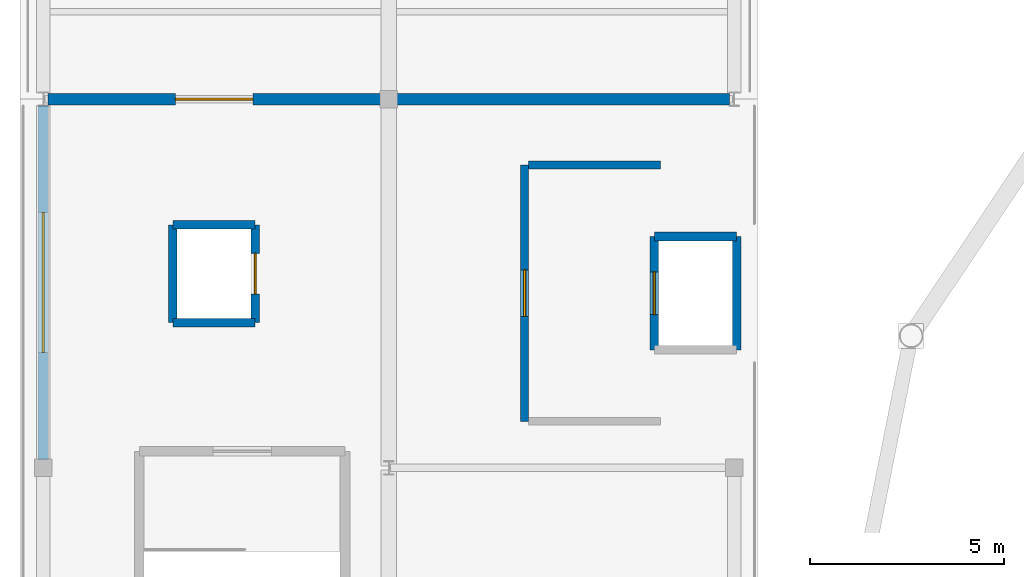
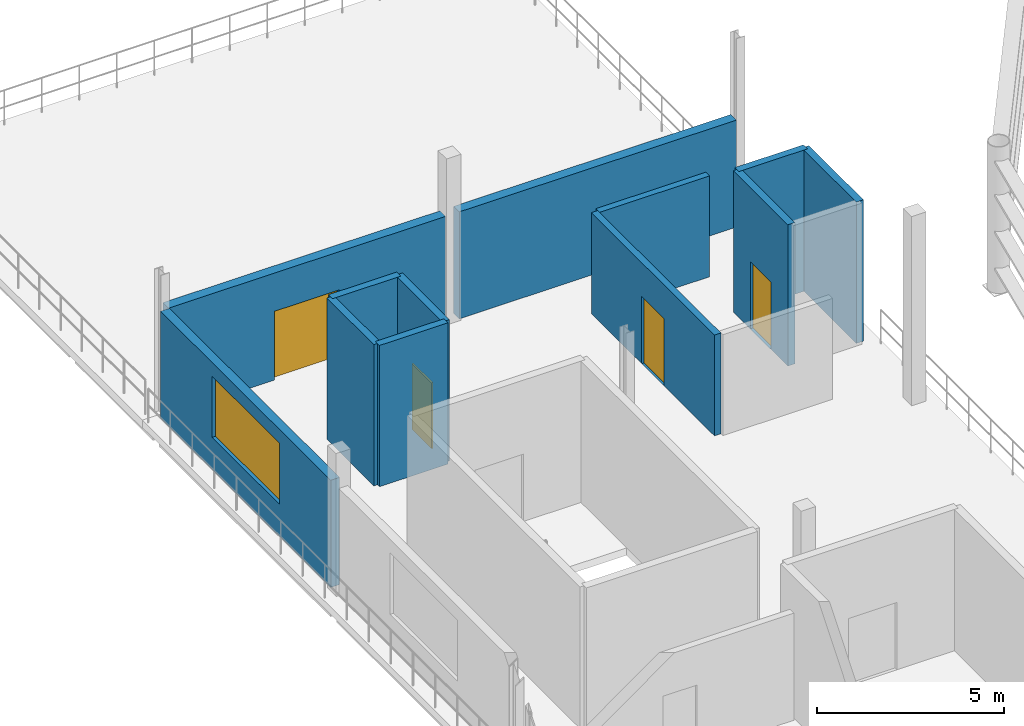
# One storey, part 26 of 29: 12 walls, 4 doors, 1 window, 5 openings.
"""IFC4 building model written with IfcOpenShell, lengths in metres."""

from ifc_helpers import new_model, si_unit, direction, frame, frame_2d, origin, place, context, subcontext, project, spatial, rectangle, extrude, material, layer, layer_set, type_object, element, fill, save


model = new_model("IFC4")

# Units and contexts
model_context = context("Model", 3, precision=1e-05, world=origin(), true_north=direction((0.0, 1.0)))
body_context = subcontext(model_context, "Body", "Model", "MODEL_VIEW")
ifc_project = project(units=[si_unit("LENGTHUNIT", "METRE"), si_unit("AREAUNIT", "SQUARE_METRE"), si_unit("VOLUMEUNIT", "CUBIC_METRE"), si_unit("PLANEANGLEUNIT", "RADIAN"), si_unit("MASSUNIT", "GRAM", prefix="KILO")], contexts=[model_context])

# Site, building, storey
site_placement = place(None, origin())
site = spatial("IfcSite", under=ifc_project, at=site_placement, CompositionType="ELEMENT")
building_placement = place(site_placement, origin())
building = spatial("IfcBuilding", under=site, at=building_placement, Name="Candeia Ridge Stadium", CompositionType="ELEMENT")
storey_placement = place(building_placement, frame((0.0, 0.0, 27.0)))
storey = spatial("IfcBuildingStorey", under=building, at=storey_placement, Name="L05", CompositionType="ELEMENT", Elevation=27.0)

# Wall, opening, window
ifc_material_1 = material(Name="Concrete C35/45", Category="concrete")
ifc_layer_1 = layer(ifc_material_1, 0.27490234375, Name="Concrete C35/45", Category="concrete")
ifc_layer_set_1 = layer_set([ifc_layer_1], Name="Concrete C35/45")
wall_type_1 = type_object("IfcWallType", Name="Exterior Gondola Insulated Wall 275", PredefinedType="STANDARD", material=ifc_layer_set_1)
wall_1_placement = place(storey_placement, frame((0.60009765625, 111.712890625, 0.0), z_axis=(0.0, 0.0, 1.0), x_axis=(0.0, 1.0, 0.0)))
wall_1 = element("IfcWall", 1, at=wall_1_placement, inside=storey, type_object=wall_type_1, Name="Exterior facade wall EW-L05-0114", PredefinedType="STANDARD", context=body_context, shape_type="SweptSolid", body=[
    extrude(rectangle(XDim=9.11767578125, YDim=0.27490234375, at=frame_2d((4.558837890625, 0.0))), origin(), (0.0, 0.0, 1.0), 3.5),
])
opening_1_placement = place(wall_1_placement, frame((2.7587890625, 0.0, 1.050048828125)))
opening_1 = element("IfcOpeningElement", 2, at=opening_1_placement, cuts=wall_1, Name="Opening W10", PredefinedType="OPENING", context=body_context, shape_type="SweptSolid", body=[
    extrude(rectangle(XDim=3.60009765625, YDim=2.0, at=frame_2d((1.800048828125, 1.0))), frame((0.0, 0.1474609375, 0.0), z_axis=(0.0, -1.0, 0.0), x_axis=(1.0, 0.0, 0.0)), (0.0, 0.0, 1.0), 0.294921875),
])
ifc_material_2 = material(Name="Tempered Solar-Control Double Glazing", Category="glass")
window_type = type_object("IfcWindowType", Name="Press Gondola Viewing Window 3600x2000", PartitioningType="SINGLE_PANEL", PredefinedType="WINDOW", material=ifc_material_2)
window_placement = place(opening_1_placement, origin())
window = element("IfcWindow", 3, at=window_placement, inside=storey, type_object=window_type, Name="Exterior window WIN-L05-065", OverallHeight=2.0, OverallWidth=3.60009765625, PartitioningType="SINGLE_PANEL", PredefinedType="WINDOW", context=body_context, shape_type="SweptSolid", body=[
    extrude(rectangle(XDim=3.60009765625, YDim=2.0, at=frame_2d((1.800048828125, 1.0))), frame((0.0, 0.030029296875, 0.0), z_axis=(0.0, -1.0, 0.0), x_axis=(1.0, 0.0, 0.0)), (0.0, 0.0, 1.0), 0.06005859375),
])
fill(opening_1, window)

# Wall, opening, door
ifc_layer_2 = layer(ifc_material_1, 0.300048828125, Name="Concrete C35/45", Category="concrete")
ifc_layer_set_2 = layer_set([ifc_layer_2], Name="Concrete C35/45")
wall_type_2 = type_object("IfcWallType", Name="Exterior Pavilion Rainscreen Wall 300", PredefinedType="SOLIDWALL", material=ifc_layer_set_2)
wall_2_placement = place(storey_placement, frame((0.716552734375, 121.0, 0.0), z_axis=(0.0, 0.0, 1.0), x_axis=(1.0, 0.0, 0.0)))
wall_2 = element("IfcWall", 4, at=wall_2_placement, inside=storey, type_object=wall_type_2, Name="Exterior facade wall EW-L05-0117", PredefinedType="SOLIDWALL", context=body_context, shape_type="SweptSolid", body=[
    extrude(rectangle(XDim=8.570556640625, YDim=0.300048828125, at=frame_2d((4.28515625, 0.0))), origin(), (0.0, 0.0, 1.0), 3.5),
])
opening_2_placement = place(wall_2_placement, frame((3.28515625, 0.0, 0.0)))
opening_2 = element("IfcOpeningElement", 5, at=opening_2_placement, cuts=wall_2, Name="Opening ED06", PredefinedType="OPENING", context=body_context, shape_type="SweptSolid", body=[
    extrude(rectangle(XDim=2.0, YDim=2.25, at=frame_2d((1.0, 1.125))), frame((0.0, 0.159912109375, 0.0), z_axis=(0.0, -1.0, 0.0), x_axis=(1.0, 0.0, 0.0)), (0.0, 0.0, 1.0), 0.320068359375),
])
ifc_material_3 = material(Name="Aluminium Thermal-Break Glazed Door", Category="aluminium")
door_type_1 = type_object("IfcDoorType", Name="Terrace Lounge Double Door 2000x2250", OperationType="NOTDEFINED", PredefinedType="DOOR", material=ifc_material_3)
door_1_placement = place(opening_2_placement, origin())
door_1 = element("IfcDoor", 6, at=door_1_placement, inside=storey, type_object=door_type_1, Name="Exterior entrance door ED-012", OperationType="DOUBLE_DOOR_SINGLE_SWING", OverallHeight=2.25, OverallWidth=2.0, PredefinedType="DOOR", context=body_context, shape_type="SweptSolid", body=[
    extrude(rectangle(XDim=2.0, YDim=2.25, at=frame_2d((1.0, 1.125))), frame((0.0, 0.02490234375, 0.0), z_axis=(0.0, -1.0, 0.0), x_axis=(1.0, 0.0, 0.0)), (0.0, 0.0, 1.0), 0.050048828125),
])
fill(opening_2, door_1)

# Walls
wall_3_placement = place(storey_placement, frame((9.712890625, 121.0, 0.0), z_axis=(0.0, 0.0, 1.0), x_axis=(1.0, 0.0, 0.0)))
element("IfcWall", 7, at=wall_3_placement, inside=storey, type_object=wall_type_2, Name="Exterior facade wall EW-L05-0118", PredefinedType="SOLIDWALL", context=body_context, shape_type="SweptSolid", body=[
    extrude(rectangle(XDim=8.570556640625, YDim=0.300048828125, at=frame_2d((4.28515625, 0.0))), origin(), (0.0, 0.0, 1.0), 3.5),
])
ifc_layer_3 = layer(ifc_material_1, 0.199951171875, Name="Concrete C35/45", Category="concrete")
ifc_layer_set_3 = layer_set([ifc_layer_3], Name="Concrete C35/45")
wall_type_3 = type_object("IfcWallType", Name="Firefighting Lobby Rated Wall 200", PredefinedType="SOLIDWALL", material=ifc_layer_set_3)
wall_4_placement = place(storey_placement, frame((16.5, 119.300048828125, 0.0), z_axis=(0.0, 0.0, 1.0), x_axis=(-1.0, 0.0, 0.0)))
element("IfcWall", 8, at=wall_4_placement, inside=storey, type_object=wall_type_3, Name="Firefighting lift lobby FF2 rated wall L05 north", PredefinedType="SOLIDWALL", context=body_context, shape_type="SweptSolid", body=[
    extrude(rectangle(XDim=3.39990234375, YDim=0.199951171875, at=frame_2d((1.699951171875, 0.0))), origin(), (0.0, 0.0, 1.0), 3.300048828125),
])

# Wall, opening, door
wall_5_placement = place(storey_placement, frame((13.0, 119.300048828125, 0.0), z_axis=(0.0, 0.0, 1.0), x_axis=(0.0, -1.0, 0.0)))
wall_5 = element("IfcWall", 9, at=wall_5_placement, inside=storey, type_object=wall_type_3, Name="Firefighting lift lobby FF2 rated wall L05 entry", PredefinedType="SOLIDWALL", context=body_context, shape_type="SweptSolid", body=[
    extrude(rectangle(XDim=6.60009765625, YDim=0.199951171875, at=frame_2d((3.300048828125, 0.0))), origin(), (0.0, 0.0, 1.0), 3.300048828125),
])
opening_3_placement = place(wall_5_placement, frame((2.699951171875, 0.0, 0.0)))
opening_3 = element("IfcOpeningElement", 10, at=opening_3_placement, cuts=wall_5, Name="Opening FD02", PredefinedType="OPENING", context=body_context, shape_type="SweptSolid", body=[
    extrude(rectangle(XDim=1.199951171875, YDim=2.199951171875, at=frame_2d((0.60009765625, 1.10009765625))), frame((0.0, 0.10986328125, 0.0), z_axis=(0.0, -1.0, 0.0), x_axis=(1.0, 0.0, 0.0)), (0.0, 0.0, 1.0), 0.219970703125),
])
ifc_material_4 = material(Name="Galvanized Fire-Rated Steel", Category="steel")
door_type_2 = type_object("IfcDoorType", Name="Firefighting Lobby Fire Door 1200x2200", OperationType="NOTDEFINED", PredefinedType="DOOR", material=ifc_material_4)
door_2_placement = place(opening_3_placement, frame((1.199951171875, 0.0, 0.0), z_axis=(0.0, 0.0, 1.0), x_axis=(-1.0, 0.0, 0.0)))
door_2 = element("IfcDoor", 11, at=door_2_placement, inside=storey, type_object=door_type_2, Name="Firefighting lobby fire door FFD-FF2-L05", OperationType="SINGLE_SWING_RIGHT", OverallHeight=2.199951171875, OverallWidth=1.199951171875, PredefinedType="DOOR", context=body_context, shape_type="SweptSolid", body=[
    extrude(rectangle(XDim=1.199951171875, YDim=2.199951171875, at=frame_2d((0.60009765625, 1.10009765625))), frame((0.0, 0.02490234375, 0.0), z_axis=(0.0, -1.0, 0.0), x_axis=(1.0, 0.0, 0.0)), (0.0, 0.0, 1.0), 0.050048828125),
])
fill(opening_3, door_2)

# Walls
ifc_material_5 = material(Name="Concrete C40/50", Category="concrete")
ifc_layer_4 = layer(ifc_material_5, 0.219970703125, Name="Concrete C40/50", Category="concrete")
ifc_layer_set_4 = layer_set([ifc_layer_4], Name="Concrete C40/50")
wall_type_4 = type_object("IfcWallType", Name="Lift & Riser Shaft Wall 220", PredefinedType="SHEAR", material=ifc_layer_set_4)
wall_6_placement = place(storey_placement, frame((18.4599609375, 114.5400390625, 0.0), z_axis=(0.0, 0.0, 1.0), x_axis=(0.0, 1.0, 0.0)))
element("IfcWall", 12, at=wall_6_placement, inside=storey, type_object=wall_type_4, Name="Lift FF2 shaft wall L05 east", PredefinedType="SHEAR", context=body_context, shape_type="SweptSolid", body=[
    extrude(rectangle(XDim=2.919921875, YDim=0.219970703125, at=frame_2d((1.4599609375, 0.0))), origin(), (0.0, 0.0, 1.0), 4.6201171875),
])
wall_7_placement = place(storey_placement, frame((18.4599609375, 117.4599609375, 0.0), z_axis=(0.0, 0.0, 1.0), x_axis=(-1.0, 0.0, 0.0)))
element("IfcWall", 13, at=wall_7_placement, inside=storey, type_object=wall_type_4, Name="Lift FF2 shaft wall L05 north", PredefinedType="SHEAR", context=body_context, shape_type="SweptSolid", body=[
    extrude(rectangle(XDim=2.119873046875, YDim=0.219970703125, at=frame_2d((1.06005859375, 0.0))), origin(), (0.0, 0.0, 1.0), 4.6201171875),
])

# Wall, opening, door
wall_8_placement = place(storey_placement, frame((16.340087890625, 117.4599609375, 0.0), z_axis=(0.0, 0.0, 1.0), x_axis=(0.0, -1.0, 0.0)))
wall_8 = element("IfcWall", 14, at=wall_8_placement, inside=storey, type_object=wall_type_4, Name="Lift FF2 shaft wall L05 west", PredefinedType="SHEAR", context=body_context, shape_type="SweptSolid", body=[
    extrude(rectangle(XDim=2.919921875, YDim=0.219970703125, at=frame_2d((1.4599609375, 0.0))), origin(), (0.0, 0.0, 1.0), 4.6201171875),
])
opening_4_placement = place(wall_8_placement, frame((0.909912109375, 0.0, 0.0)))
opening_4 = element("IfcOpeningElement", 15, at=opening_4_placement, cuts=wall_8, Name="Opening LD01", PredefinedType="OPENING", context=body_context, shape_type="SweptSolid", body=[
    extrude(rectangle(XDim=1.10009765625, YDim=2.199951171875, at=frame_2d((0.550048828125, 1.10009765625))), frame((0.0, 0.119873046875, 0.0), z_axis=(0.0, -1.0, 0.0), x_axis=(1.0, 0.0, 0.0)), (0.0, 0.0, 1.0), 0.239990234375),
])
ifc_material_6 = material(Name="Brushed Stainless Steel", Category="steel")
door_type_3 = type_object("IfcDoorType", Name="Firefighting Lift Landing Door 1100x2200", OperationType="NOTDEFINED", PredefinedType="DOOR", material=ifc_material_6)
door_3_placement = place(opening_4_placement, origin())
door_3 = element("IfcDoor", 16, at=door_3_placement, inside=storey, type_object=door_type_3, Name="Lift landing sliding door LD-FF2-L05", OperationType="DOUBLE_DOOR_SLIDING", OverallHeight=2.199951171875, OverallWidth=1.10009765625, PredefinedType="DOOR", context=body_context, shape_type="SweptSolid", body=[
    extrude(rectangle(XDim=1.10009765625, YDim=2.199951171875, at=frame_2d((0.550048828125, 1.10009765625))), frame((0.0, 0.02490234375, 0.0), z_axis=(0.0, -1.0, 0.0), x_axis=(1.0, 0.0, 0.0)), (0.0, 0.0, 1.0), 0.050048828125),
])
fill(opening_4, door_3)

# Wall
wall_9_placement = place(storey_placement, frame((3.93994140625, 115.239990234375, 0.0), z_axis=(0.0, 0.0, 1.0), x_axis=(1.0, 0.0, 0.0)))
element("IfcWall", 17, at=wall_9_placement, inside=storey, type_object=wall_type_4, Name="Lift VL2 shaft wall L05 south", PredefinedType="SHEAR", context=body_context, shape_type="SweptSolid", body=[
    extrude(rectangle(XDim=2.1201171875, YDim=0.219970703125, at=frame_2d((1.06005859375, 0.0))), origin(), (0.0, 0.0, 1.0), 4.6201171875),
])

# Wall, opening, door
wall_10_placement = place(storey_placement, frame((6.06005859375, 115.239990234375, 0.0), z_axis=(0.0, 0.0, 1.0), x_axis=(0.0, 1.0, 0.0)))
wall_10 = element("IfcWall", 18, at=wall_10_placement, inside=storey, type_object=wall_type_4, Name="Lift VL2 shaft wall L05 east", PredefinedType="SHEAR", context=body_context, shape_type="SweptSolid", body=[
    extrude(rectangle(XDim=2.52001953125, YDim=0.219970703125, at=frame_2d((1.260009765625, 0.0))), origin(), (0.0, 0.0, 1.0), 4.6201171875),
])
opening_5_placement = place(wall_10_placement, frame((0.735107421875, 0.0, 0.0)))
opening_5 = element("IfcOpeningElement", 19, at=opening_5_placement, cuts=wall_10, Name="Opening LD02", PredefinedType="OPENING", context=body_context, shape_type="SweptSolid", body=[
    extrude(rectangle(XDim=1.050048828125, YDim=2.14990234375, at=frame_2d((0.52490234375, 1.074951171875))), frame((0.0, 0.119873046875, 0.0), z_axis=(0.0, -1.0, 0.0), x_axis=(1.0, 0.0, 0.0)), (0.0, 0.0, 1.0), 0.239990234375),
])
door_type_4 = type_object("IfcDoorType", Name="Passenger Lift Landing Door 1050x2150", OperationType="NOTDEFINED", PredefinedType="DOOR", material=ifc_material_6)
door_4_placement = place(opening_5_placement, origin())
door_4 = element("IfcDoor", 20, at=door_4_placement, inside=storey, type_object=door_type_4, Name="Lift landing sliding door LD-VL2-L05", OperationType="DOUBLE_DOOR_SLIDING", OverallHeight=2.14990234375, OverallWidth=1.050048828125, PredefinedType="DOOR", context=body_context, shape_type="SweptSolid", body=[
    extrude(rectangle(XDim=1.050048828125, YDim=2.14990234375, at=frame_2d((0.52490234375, 1.074951171875))), frame((0.0, 0.02490234375, 0.0), z_axis=(0.0, -1.0, 0.0), x_axis=(1.0, 0.0, 0.0)), (0.0, 0.0, 1.0), 0.050048828125),
])
fill(opening_5, door_4)

# Walls
wall_11_placement = place(storey_placement, frame((6.06005859375, 117.760009765625, 0.0), z_axis=(0.0, 0.0, 1.0), x_axis=(-1.0, 0.0, 0.0)))
element("IfcWall", 21, at=wall_11_placement, inside=storey, type_object=wall_type_4, Name="Lift VL2 shaft wall L05 north", PredefinedType="SHEAR", context=body_context, shape_type="SweptSolid", body=[
    extrude(rectangle(XDim=2.1201171875, YDim=0.219970703125, at=frame_2d((1.06005859375, 0.0))), origin(), (0.0, 0.0, 1.0), 4.6201171875),
])
wall_12_placement = place(storey_placement, frame((3.93994140625, 117.760009765625, 0.0), z_axis=(0.0, 0.0, 1.0), x_axis=(0.0, -1.0, 0.0)))
element("IfcWall", 22, at=wall_12_placement, inside=storey, type_object=wall_type_4, Name="Lift VL2 shaft wall L05 west", PredefinedType="SHEAR", context=body_context, shape_type="SweptSolid", body=[
    extrude(rectangle(XDim=2.52001953125, YDim=0.219970703125, at=frame_2d((1.260009765625, 0.0))), origin(), (0.0, 0.0, 1.0), 4.6201171875),
])

save(model, "model.ifc")
